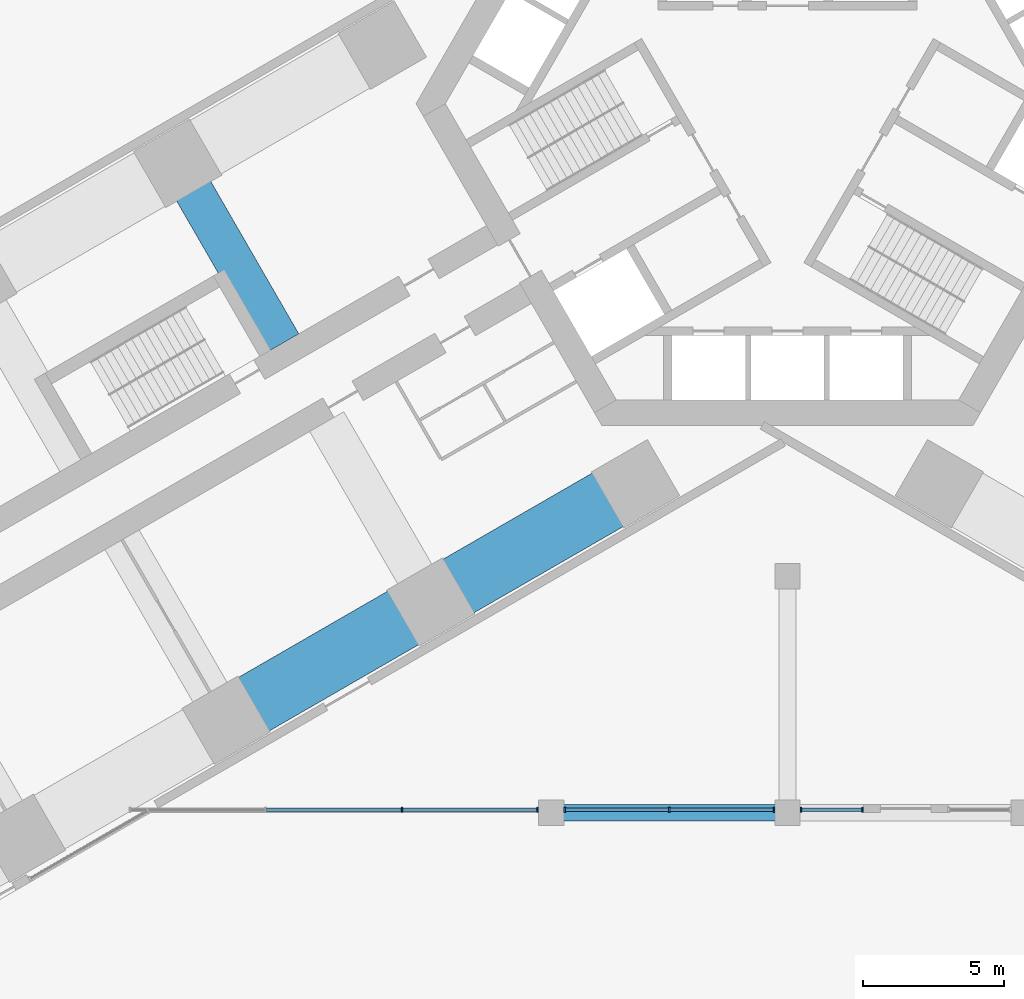
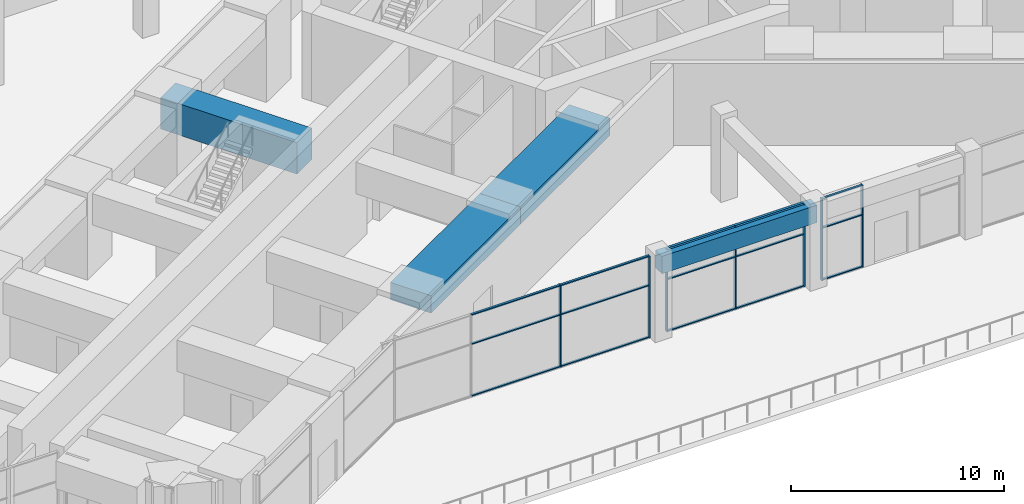
# One storey, part 4 of 34: 22 members, 4 beams, 3 elements without a shape of their own.
"""IFC4 building model written with IfcOpenShell, lengths in metres."""

from ifc_helpers import new_model, si_unit, direction, frame, origin, origin_2d, place, context, subcontext, project, spatial, rectangle, extrude, material, material_profile, profile_set, type_object, element, aggregate, save


model = new_model("IFC4")

# Units and contexts
model_context = context("Model", 3, precision=1e-05, world=origin(), true_north=direction((0.0, 1.0)))
body_context = subcontext(model_context, "Body", "Model", "MODEL_VIEW")
ifc_project = project(units=[si_unit("LENGTHUNIT", "METRE"), si_unit("AREAUNIT", "SQUARE_METRE"), si_unit("VOLUMEUNIT", "CUBIC_METRE"), si_unit("PLANEANGLEUNIT", "RADIAN"), si_unit("MASSUNIT", "GRAM", prefix="KILO")], contexts=[model_context])

# Site, building, storey
site_placement = place(None, origin())
site = spatial("IfcSite", under=ifc_project, at=site_placement, CompositionType="ELEMENT")
building_placement = place(site_placement, origin())
building = spatial("IfcBuilding", under=site, at=building_placement, Name="Impinga Residences", CompositionType="ELEMENT")
storey_placement = place(building_placement, frame((0.0, 0.0, 11.0)))
storey = spatial("IfcBuildingStorey", under=building, at=storey_placement, Name="L02", CompositionType="ELEMENT", Elevation=11.0)

# Beam
ifc_material_1 = material(Name="Concrete C60/75", Category="concrete")
ifc_material_profile_1 = material_profile(ifc_material_1, rectangle(XDim=1.39990234375, YDim=1.800048828125, at=origin_2d()), Name="RC 1400x1800")
ifc_profile_set_1 = profile_set([ifc_material_profile_1], Name="Concrete C60/75")
beam_type_1 = type_object("IfcBeamType", Name="CG4 1400x1800 cross girder on a wing bay line under the podium floors", PredefinedType="BEAM", material=ifc_profile_set_1)
beam_1_placement = place(storey_placement, frame((-17.974609375, -8.530029296875, 3.800048828125), z_axis=(-0.500003285667, 0.866023506795, 0.0), x_axis=(-0.866023506795, -0.500003285667, 0.0)))
element("IfcBeam", 1, at=beam_1_placement, inside=storey, type_object=beam_type_1, Name="Beam CG4 W2 WC/WF level L03", PredefinedType="BEAM", context=body_context, shape_type="SweptSolid", body=[
    extrude(rectangle(XDim=1.39990234375, YDim=1.800048828125, at=origin_2d()), origin(), (0.0, 0.0, 1.0), 7.39990234375),
])

# Curtain wall, members
ifc_material_2 = material(Name="Aluminium stick curtain wall", Category="aluminium")
curtain_wall_type = type_object("IfcCurtainWallType", Name="CW1 podium amenity curtain wall", PredefinedType="USERDEFINED", material=ifc_material_2)
curtain_wall_1_placement = place(storey_placement, origin())
curtain_wall_1 = element("IfcCurtainWall", 2, at=curtain_wall_1_placement, inside=storey, type_object=curtain_wall_type, Name="Curtain wall CW1 L02", ObjectType="STICK CURTAIN WALL", PredefinedType="USERDEFINED")
ifc_material_3 = material(Name="Aluminium mullion", Category="aluminium")
ifc_material_profile_2 = material_profile(ifc_material_3, rectangle(XDim=0.06005859375, YDim=0.179931640625, at=origin_2d()), Name="60x180 mullion")
ifc_profile_set_2 = profile_set([ifc_material_profile_2], Name="Aluminium mullion")
member_type_1 = type_object("IfcMemberType", Name="CW1-M mullion 60x180", PredefinedType="MULLION", material=ifc_profile_set_2)
member_1_placement = place(storey_placement, frame((2.669677734375, -25.10009765625, 0.0), z_axis=(0.0, 0.0, 1.0), x_axis=(-1.0, 0.0, 0.0)))
member_1 = element("IfcMember", 3, at=member_1_placement, type_object=member_type_1, Name="CW1 mullion 1", PredefinedType="MULLION", context=body_context, shape_type="SweptSolid", body=[
    extrude(rectangle(XDim=0.06005859375, YDim=0.179931640625, at=origin_2d()), origin(), (0.0, 0.0, 1.0), 4.699951171875),
])
member_2_placement = place(storey_placement, frame((0.48291015625, -25.10009765625, 0.0), z_axis=(0.0, 0.0, 1.0), x_axis=(-1.0, 0.0, 0.0)))
member_2 = element("IfcMember", 4, at=member_2_placement, type_object=member_type_1, Name="CW1 mullion 2", PredefinedType="MULLION", context=body_context, shape_type="SweptSolid", body=[
    extrude(rectangle(XDim=0.06005859375, YDim=0.179931640625, at=origin_2d()), origin(), (0.0, 0.0, 1.0), 4.699951171875),
])

curtain_wall_2_placement = place(storey_placement, origin())
curtain_wall_2 = element("IfcCurtainWall", 5, at=curtain_wall_2_placement, inside=storey, type_object=curtain_wall_type, Name="Curtain wall CW1 L02", ObjectType="STICK CURTAIN WALL", PredefinedType="USERDEFINED")
member_3_placement = place(storey_placement, frame((-0.48291015625, -25.10009765625, 0.0), z_axis=(0.0, 0.0, 1.0), x_axis=(-1.0, 0.0, 0.0)))
member_3 = element("IfcMember", 6, at=member_3_placement, type_object=member_type_1, Name="CW1 mullion 1", PredefinedType="MULLION", context=body_context, shape_type="SweptSolid", body=[
    extrude(rectangle(XDim=0.06005859375, YDim=0.179931640625, at=origin_2d()), origin(), (0.0, 0.0, 1.0), 4.699951171875),
])
member_4_placement = place(storey_placement, frame((-4.199951171875, -25.10009765625, 0.0), z_axis=(0.0, 0.0, 1.0), x_axis=(-1.0, 0.0, 0.0)))
member_4 = element("IfcMember", 7, at=member_4_placement, type_object=member_type_1, Name="CW1 mullion 2", PredefinedType="MULLION", context=body_context, shape_type="SweptSolid", body=[
    extrude(rectangle(XDim=0.06005859375, YDim=0.179931640625, at=origin_2d()), origin(), (0.0, 0.0, 1.0), 4.699951171875),
])
member_5_placement = place(storey_placement, frame((-7.9169921875, -25.10009765625, 0.0), z_axis=(0.0, 0.0, 1.0), x_axis=(-1.0, 0.0, 0.0)))
member_5 = element("IfcMember", 8, at=member_5_placement, type_object=member_type_1, Name="CW1 mullion 3", PredefinedType="MULLION", context=body_context, shape_type="SweptSolid", body=[
    extrude(rectangle(XDim=0.06005859375, YDim=0.179931640625, at=origin_2d()), origin(), (0.0, 0.0, 1.0), 4.699951171875),
])

curtain_wall_3_placement = place(storey_placement, origin())
curtain_wall_3 = element("IfcCurtainWall", 9, at=curtain_wall_3_placement, inside=storey, type_object=curtain_wall_type, Name="Curtain wall CW1 L02", ObjectType="STICK CURTAIN WALL", PredefinedType="USERDEFINED")
member_6_placement = place(storey_placement, frame((-8.883056640625, -25.10009765625, 0.0), z_axis=(0.0, 0.0, 1.0), x_axis=(-1.0, 0.0, 0.0)))
member_6 = element("IfcMember", 10, at=member_6_placement, type_object=member_type_1, Name="CW1 mullion 1", PredefinedType="MULLION", context=body_context, shape_type="SweptSolid", body=[
    extrude(rectangle(XDim=0.06005859375, YDim=0.179931640625, at=origin_2d()), origin(), (0.0, 0.0, 1.0), 4.699951171875),
])
member_7_placement = place(storey_placement, frame((-13.699951171875, -25.10009765625, 0.0), z_axis=(0.0, 0.0, 1.0), x_axis=(-1.0, 0.0, 0.0)))
member_7 = element("IfcMember", 11, at=member_7_placement, type_object=member_type_1, Name="CW1 mullion 2", PredefinedType="MULLION", context=body_context, shape_type="SweptSolid", body=[
    extrude(rectangle(XDim=0.06005859375, YDim=0.179931640625, at=origin_2d()), origin(), (0.0, 0.0, 1.0), 4.699951171875),
])

# Member
ifc_material_4 = material(Name="Aluminium transom", Category="aluminium")
ifc_material_profile_3 = material_profile(ifc_material_4, rectangle(XDim=0.06005859375, YDim=0.1201171875, at=origin_2d()), Name="60x120 transom")
ifc_profile_set_3 = profile_set([ifc_material_profile_3], Name="Aluminium transom")
member_type_2 = type_object("IfcMemberType", Name="CW1-T transom 60x120", PredefinedType="USERDEFINED", material=ifc_profile_set_3)
member_8_placement = place(storey_placement, frame((2.6396484375, -25.10009765625, 0.030029296875), z_axis=(-1.0, 0.0, 0.0), x_axis=(0.0, 0.0, 1.0)))
member_8 = element("IfcMember", 12, at=member_8_placement, type_object=member_type_2, Name="CW1 transom 1.1", ObjectType="TRANSOM", PredefinedType="USERDEFINED", context=body_context, shape_type="SweptSolid", body=[
    extrude(rectangle(XDim=0.06005859375, YDim=0.1201171875, at=origin_2d()), origin(), (0.0, 0.0, 1.0), 2.126708984375),
])

member_9_placement = place(storey_placement, frame((2.6396484375, -25.10009765625, 3.0), z_axis=(-1.0, 0.0, 0.0), x_axis=(0.0, 0.0, 1.0)))
member_9 = element("IfcMember", 13, at=member_9_placement, type_object=member_type_2, Name="CW1 transom 1.2", ObjectType="TRANSOM", PredefinedType="USERDEFINED", context=body_context, shape_type="SweptSolid", body=[
    extrude(rectangle(XDim=0.06005859375, YDim=0.1201171875, at=origin_2d()), origin(), (0.0, 0.0, 1.0), 2.126708984375),
])

member_10_placement = place(storey_placement, frame((2.6396484375, -25.10009765625, 4.669921875), z_axis=(-1.0, 0.0, 0.0), x_axis=(0.0, 0.0, 1.0)))
member_10 = element("IfcMember", 14, at=member_10_placement, type_object=member_type_2, Name="CW1 transom 1.3", ObjectType="TRANSOM", PredefinedType="USERDEFINED", context=body_context, shape_type="SweptSolid", body=[
    extrude(rectangle(XDim=0.06005859375, YDim=0.1201171875, at=origin_2d()), origin(), (0.0, 0.0, 1.0), 2.126708984375),
])

aggregate(curtain_wall_1, [member_1, member_2, member_8, member_9, member_10])

member_11_placement = place(storey_placement, frame((-0.512939453125, -25.10009765625, 0.030029296875), z_axis=(-1.0, 0.0, 0.0), x_axis=(0.0, 0.0, 1.0)))
member_11 = element("IfcMember", 15, at=member_11_placement, type_object=member_type_2, Name="CW1 transom 1.1", ObjectType="TRANSOM", PredefinedType="USERDEFINED", context=body_context, shape_type="SweptSolid", body=[
    extrude(rectangle(XDim=0.06005859375, YDim=0.1201171875, at=origin_2d()), origin(), (0.0, 0.0, 1.0), 3.656982421875),
])

member_12_placement = place(storey_placement, frame((-0.512939453125, -25.10009765625, 3.0), z_axis=(-1.0, 0.0, 0.0), x_axis=(0.0, 0.0, 1.0)))
member_12 = element("IfcMember", 16, at=member_12_placement, type_object=member_type_2, Name="CW1 transom 1.2", ObjectType="TRANSOM", PredefinedType="USERDEFINED", context=body_context, shape_type="SweptSolid", body=[
    extrude(rectangle(XDim=0.06005859375, YDim=0.1201171875, at=origin_2d()), origin(), (0.0, 0.0, 1.0), 3.656982421875),
])

member_13_placement = place(storey_placement, frame((-0.512939453125, -25.10009765625, 4.669921875), z_axis=(-1.0, 0.0, 0.0), x_axis=(0.0, 0.0, 1.0)))
member_13 = element("IfcMember", 17, at=member_13_placement, type_object=member_type_2, Name="CW1 transom 1.3", ObjectType="TRANSOM", PredefinedType="USERDEFINED", context=body_context, shape_type="SweptSolid", body=[
    extrude(rectangle(XDim=0.06005859375, YDim=0.1201171875, at=origin_2d()), origin(), (0.0, 0.0, 1.0), 3.656982421875),
])

member_14_placement = place(storey_placement, frame((-4.22998046875, -25.10009765625, 0.030029296875), z_axis=(-1.0, 0.0, 0.0), x_axis=(0.0, 0.0, 1.0)))
member_14 = element("IfcMember", 18, at=member_14_placement, type_object=member_type_2, Name="CW1 transom 2.1", ObjectType="TRANSOM", PredefinedType="USERDEFINED", context=body_context, shape_type="SweptSolid", body=[
    extrude(rectangle(XDim=0.06005859375, YDim=0.1201171875, at=origin_2d()), origin(), (0.0, 0.0, 1.0), 3.656982421875),
])

member_15_placement = place(storey_placement, frame((-4.22998046875, -25.10009765625, 3.0), z_axis=(-1.0, 0.0, 0.0), x_axis=(0.0, 0.0, 1.0)))
member_15 = element("IfcMember", 19, at=member_15_placement, type_object=member_type_2, Name="CW1 transom 2.2", ObjectType="TRANSOM", PredefinedType="USERDEFINED", context=body_context, shape_type="SweptSolid", body=[
    extrude(rectangle(XDim=0.06005859375, YDim=0.1201171875, at=origin_2d()), origin(), (0.0, 0.0, 1.0), 3.656982421875),
])

member_16_placement = place(storey_placement, frame((-4.22998046875, -25.10009765625, 4.669921875), z_axis=(-1.0, 0.0, 0.0), x_axis=(0.0, 0.0, 1.0)))
member_16 = element("IfcMember", 20, at=member_16_placement, type_object=member_type_2, Name="CW1 transom 2.3", ObjectType="TRANSOM", PredefinedType="USERDEFINED", context=body_context, shape_type="SweptSolid", body=[
    extrude(rectangle(XDim=0.06005859375, YDim=0.1201171875, at=origin_2d()), origin(), (0.0, 0.0, 1.0), 3.656982421875),
])

aggregate(curtain_wall_2, [member_3, member_4, member_5, member_11, member_12, member_13, member_14, member_15, member_16])

member_17_placement = place(storey_placement, frame((-8.9130859375, -25.10009765625, 0.030029296875), z_axis=(-1.0, 0.0, 0.0), x_axis=(0.0, 0.0, 1.0)))
member_17 = element("IfcMember", 21, at=member_17_placement, type_object=member_type_2, Name="CW1 transom 1.1", ObjectType="TRANSOM", PredefinedType="USERDEFINED", context=body_context, shape_type="SweptSolid", body=[
    extrude(rectangle(XDim=0.06005859375, YDim=0.1201171875, at=origin_2d()), origin(), (0.0, 0.0, 1.0), 4.7568359375),
])

member_18_placement = place(storey_placement, frame((-8.9130859375, -25.10009765625, 3.0), z_axis=(-1.0, 0.0, 0.0), x_axis=(0.0, 0.0, 1.0)))
member_18 = element("IfcMember", 22, at=member_18_placement, type_object=member_type_2, Name="CW1 transom 1.2", ObjectType="TRANSOM", PredefinedType="USERDEFINED", context=body_context, shape_type="SweptSolid", body=[
    extrude(rectangle(XDim=0.06005859375, YDim=0.1201171875, at=origin_2d()), origin(), (0.0, 0.0, 1.0), 4.7568359375),
])

member_19_placement = place(storey_placement, frame((-8.9130859375, -25.10009765625, 4.669921875), z_axis=(-1.0, 0.0, 0.0), x_axis=(0.0, 0.0, 1.0)))
member_19 = element("IfcMember", 23, at=member_19_placement, type_object=member_type_2, Name="CW1 transom 1.3", ObjectType="TRANSOM", PredefinedType="USERDEFINED", context=body_context, shape_type="SweptSolid", body=[
    extrude(rectangle(XDim=0.06005859375, YDim=0.1201171875, at=origin_2d()), origin(), (0.0, 0.0, 1.0), 4.7568359375),
])

member_20_placement = place(storey_placement, frame((-13.72998046875, -25.10009765625, 0.030029296875), z_axis=(-1.0, 0.0, 0.0), x_axis=(0.0, 0.0, 1.0)))
member_20 = element("IfcMember", 24, at=member_20_placement, type_object=member_type_2, Name="CW1 transom 2.1", ObjectType="TRANSOM", PredefinedType="USERDEFINED", context=body_context, shape_type="SweptSolid", body=[
    extrude(rectangle(XDim=0.06005859375, YDim=0.1201171875, at=origin_2d()), origin(), (0.0, 0.0, 1.0), 4.787109375),
])

member_21_placement = place(storey_placement, frame((-13.72998046875, -25.10009765625, 3.0), z_axis=(-1.0, 0.0, 0.0), x_axis=(0.0, 0.0, 1.0)))
member_21 = element("IfcMember", 25, at=member_21_placement, type_object=member_type_2, Name="CW1 transom 2.2", ObjectType="TRANSOM", PredefinedType="USERDEFINED", context=body_context, shape_type="SweptSolid", body=[
    extrude(rectangle(XDim=0.06005859375, YDim=0.1201171875, at=origin_2d()), origin(), (0.0, 0.0, 1.0), 4.787109375),
])

member_22_placement = place(storey_placement, frame((-13.72998046875, -25.10009765625, 4.669921875), z_axis=(-1.0, 0.0, 0.0), x_axis=(0.0, 0.0, 1.0)))
member_22 = element("IfcMember", 26, at=member_22_placement, type_object=member_type_2, Name="CW1 transom 2.3", ObjectType="TRANSOM", PredefinedType="USERDEFINED", context=body_context, shape_type="SweptSolid", body=[
    extrude(rectangle(XDim=0.06005859375, YDim=0.1201171875, at=origin_2d()), origin(), (0.0, 0.0, 1.0), 4.787109375),
])

aggregate(curtain_wall_3, [member_6, member_7, member_17, member_18, member_19, member_20, member_21, member_22])

# Beams
ifc_material_profile_4 = material_profile(ifc_material_1, rectangle(XDim=0.60009765625, YDim=1.0, at=origin_2d()), Name="RC 600x1000")
ifc_profile_set_4 = profile_set([ifc_material_profile_4], Name="Concrete C60/75")
beam_type_2 = type_object("IfcBeamType", Name="PB2 600x1000 podium beam", PredefinedType="BEAM", material=ifc_profile_set_4)
beam_2_placement = place(storey_placement, frame((-8.39990234375, -25.199951171875, 4.199951171875), z_axis=(1.0, 0.0, 0.0), x_axis=(0.0, 1.0, 0.0)))
element("IfcBeam", 27, at=beam_2_placement, inside=storey, type_object=beam_type_2, Name="Beam PB2 C/6-7 level L03", PredefinedType="BEAM", context=body_context, shape_type="SweptSolid", body=[
    extrude(rectangle(XDim=0.60009765625, YDim=1.0, at=origin_2d()), origin(), (0.0, 0.0, 1.0), 8.39990234375),
])
ifc_material_profile_5 = material_profile(ifc_material_1, rectangle(XDim=2.199951171875, YDim=1.0, at=origin_2d()), Name="RC 2200x1000")
ifc_profile_set_5 = profile_set([ifc_material_profile_5], Name="Concrete C60/75")
beam_type_3 = type_object("IfcBeamType", Name="PB3 2200x1000 podium band beam", PredefinedType="BEAM", material=ifc_profile_set_5)
for number, where, z_axis, x_axis, name in (
    (28, (-5.39990234375, -13.510009765625, 4.199951171875), (-0.86602925447, -0.499993330357, 0.0), (0.499993330357, -0.86602925447, 0.0), "Beam PB3 WA W1-W2 level L03"),
    (29, (-12.674560546875, -17.7099609375, 4.199951171875), (-0.86602925447, -0.499993330357, 0.0), (0.499993330357, -0.86602925447, 0.0), "Beam PB3 WA W2-W3 level L03"),
):
    element("IfcBeam", number, at=place(storey_placement, frame(where, z_axis=z_axis, x_axis=x_axis)), inside=storey, type_object=beam_type_3, Name=name, PredefinedType="BEAM", context=body_context, shape_type="SweptSolid", body=[
        extrude(rectangle(XDim=2.199951171875, YDim=1.0, at=origin_2d()), origin(), (0.0, 0.0, 1.0), 8.39990234375),
    ])

save(model, "model.ifc")
